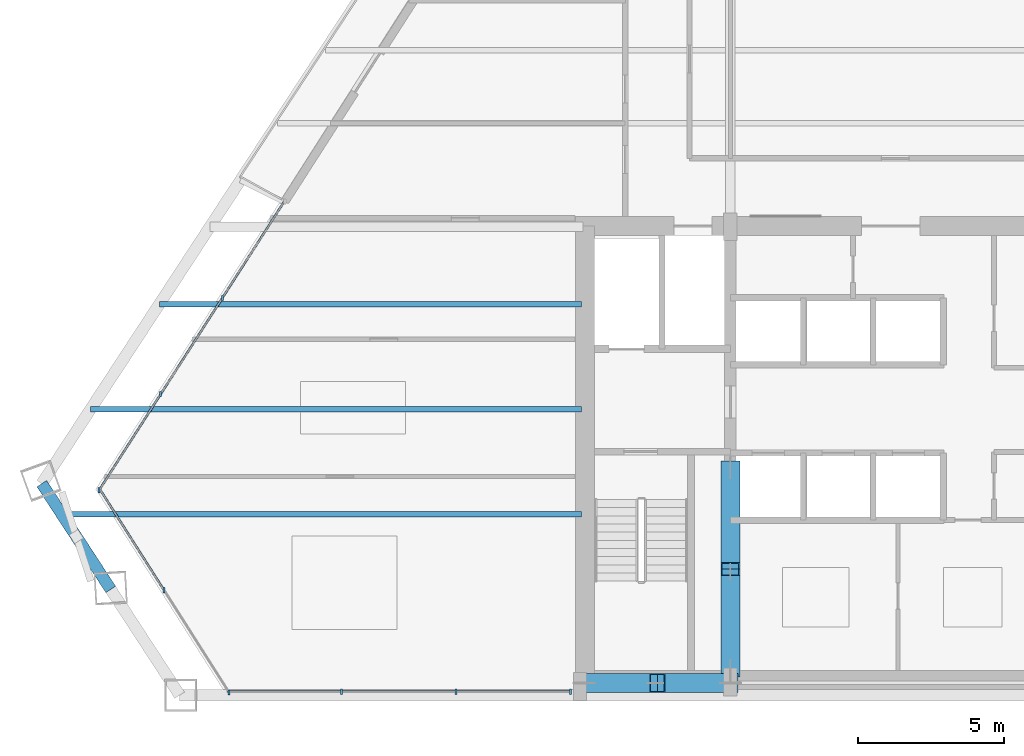
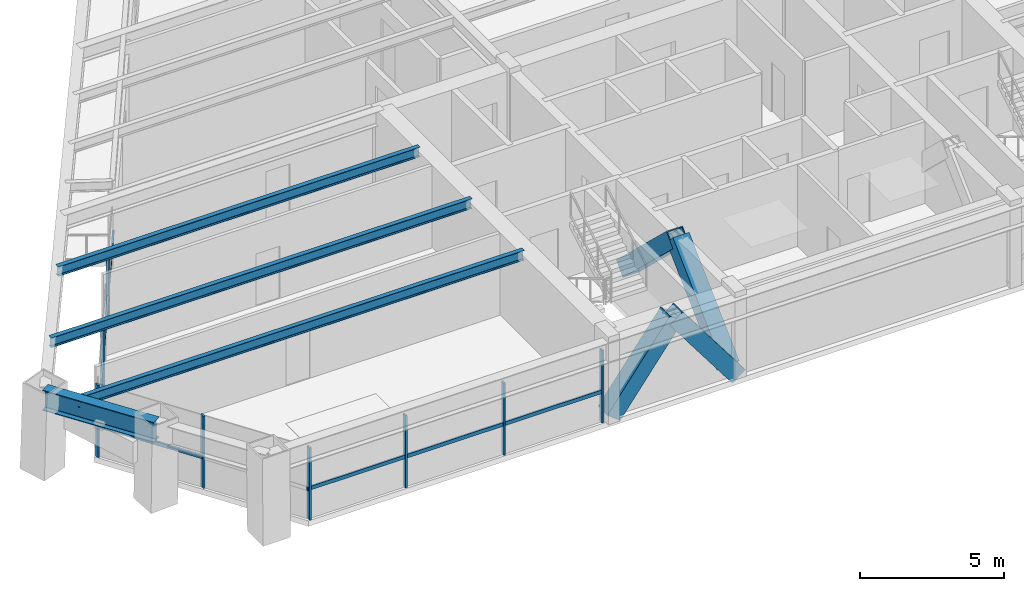
# One storey, part 2 of 15: 19 members, 4 beams, 3 elements without a shape of their own.
"""IFC4 building model written with IfcOpenShell, lengths in metres."""

from ifc_helpers import new_model, si_unit, direction, frame, origin, origin_2d, place, context, subcontext, project, spatial, rectangle, hollow_rectangle, i_section, extrude, source, transform, mapped, material, material_profile, profile_set, type_object, element, aggregate, save


model = new_model("IFC4")

# Units and contexts
model_context = context("Model", 3, precision=1e-05, world=origin(), true_north=direction((0.0, 1.0)))
body_context = subcontext(model_context, "Body", "Model", "MODEL_VIEW")
ifc_project = project(units=[si_unit("LENGTHUNIT", "METRE"), si_unit("AREAUNIT", "SQUARE_METRE"), si_unit("VOLUMEUNIT", "CUBIC_METRE"), si_unit("PLANEANGLEUNIT", "RADIAN"), si_unit("MASSUNIT", "GRAM", prefix="KILO")], contexts=[model_context])

# Site, building, storey
site_placement = place(None, origin())
site = spatial("IfcSite", under=ifc_project, at=site_placement, CompositionType="ELEMENT")
building_placement = place(site_placement, origin())
building = spatial("IfcBuilding", under=site, at=building_placement, Name="Varnakhor Terracotta Tower", CompositionType="ELEMENT")
storey_placement = place(building_placement, frame((0.0, 0.0, 155.199951171875)))
storey = spatial("IfcBuildingStorey", under=building, at=storey_placement, Name="L39", CompositionType="ELEMENT", Elevation=155.199951171875)

# Members
ifc_material_1 = material(Name="Steel S460", Category="steel")
ifc_material_profile_1 = material_profile(ifc_material_1, hollow_rectangle(XDim=0.64990234375, YDim=0.64990234375, WallThickness=0.0400390625, at=origin_2d()), Name="HSS650X650X40")
ifc_profile_set_1 = profile_set([ifc_material_profile_1], Name="Steel S460")
member_type_1 = type_object("IfcMemberType", Name="MBR-MEGA-650", PredefinedType="BRACE", material=ifc_profile_set_1)
shared_shape_1 = source(origin(), body_context, "Body", "SweptSolid", [
    extrude(hollow_rectangle(XDim=0.64990234375, YDim=0.64990234375, WallThickness=0.0400390625, at=origin_2d()), origin(), (0.0, 0.0, 1.0), 4.805908203125),
])
member_1_placement = place(storey_placement, frame((-5.5, 0.85009765625, 0.0), z_axis=(0.0, 0.723026776832, 0.69082000549), x_axis=(-1.0, 0.0, 0.0)))
element("IfcMember", 1, at=member_1_placement, inside=storey, type_object=member_type_1, Name="L39 Core Coupled Brace CWWA", PredefinedType="BRACE", context=body_context, shape_type="MappedRepresentation", body=[
    mapped(shared_shape_1, transform((0.0, 0.0, 0.0), scale=1.0)),
])
shared_shape_2 = source(origin(), body_context, "Body", "SweptSolid", [
    extrude(hollow_rectangle(XDim=0.64990234375, YDim=0.64990234375, WallThickness=0.0400390625, at=origin_2d()), origin(), (0.0, 0.0, 1.0), 4.156005859375),
])
for number, where, z_axis, x_axis, name in (
    (2, (-10.5, 0.419921875, 0.0), (0.601530923869, 0.0, 0.798849515009), (0.0, 1.0, 0.0), "L39 Core Coupled Brace CSWA"),
    (3, (-5.5, 0.419921875, 0.0), (-0.601530923869, 0.0, 0.798849515009), (0.0, -1.0, 0.0), "L39 Core Coupled Brace CSWB"),
):
    element("IfcMember", number, at=place(storey_placement, frame(where, z_axis=z_axis, x_axis=x_axis)), inside=storey, type_object=member_type_1, Name=name, PredefinedType="BRACE", context=body_context, shape_type="MappedRepresentation", body=[
        mapped(shared_shape_2, transform((0.0, 0.0, 0.0), scale=1.0)),
    ])
shared_shape_3 = source(origin(), body_context, "Body", "SweptSolid", [
    extrude(hollow_rectangle(XDim=0.64990234375, YDim=0.64990234375, WallThickness=0.0400390625, at=origin_2d()), origin(), (0.0, 0.0, 1.0), 4.80615234375),
])
member_2_placement = place(storey_placement, frame((-5.5, 7.800048828125, 0.0), z_axis=(0.0, -0.723051018573, 0.690794632681), x_axis=(1.0, 0.0, 0.0)))
element("IfcMember", 4, at=member_2_placement, inside=storey, type_object=member_type_1, Name="L39 Core Coupled Brace CWWB", PredefinedType="BRACE", context=body_context, shape_type="MappedRepresentation", body=[
    mapped(shared_shape_3, transform((0.0, 0.0, 0.0), scale=1.0)),
])

# Beams
ifc_material_2 = material(Name="Steel S355", Category="steel")
ifc_material_profile_2 = material_profile(ifc_material_2, i_section(OverallWidth=0.39990234375, OverallDepth=0.85498046875, WebThickness=0.01806640625, FlangeThickness=0.029052734375, FilletRadius=0.01806640625, at=origin_2d()), Name="W33X201")
ifc_profile_set_2 = profile_set([ifc_material_profile_2], Name="Steel S355")
beam_type_1 = type_object("IfcBeamType", Name="BM-W33X201", PredefinedType="BEAM", material=ifc_profile_set_2)
shared_shape_4 = source(origin(), body_context, "Body", "SweptSolid", [
    extrude(i_section(OverallWidth=0.39990234375, OverallDepth=0.85498046875, WebThickness=0.01806640625, FlangeThickness=0.029052734375, FilletRadius=0.01806640625, at=origin_2d()), origin(), (0.0, 0.0, 1.0), 4.326904296875),
])
beam_1_placement = place(storey_placement, frame((-29.094482421875, 7.250244140625, 3.04248046875), z_axis=(0.545945891461, -0.837820436369, 0.0), x_axis=(0.837820436369, 0.545945891461, 0.0)))
element("IfcBeam", 5, at=beam_1_placement, inside=storey, type_object=beam_type_1, Name="L39 Perimeter Spandrel 7", PredefinedType="BEAM", context=body_context, shape_type="MappedRepresentation", body=[
    mapped(shared_shape_4, transform((0.0, 0.0, 0.0), scale=1.0)),
])
ifc_material_profile_3 = material_profile(ifc_material_2, i_section(OverallWidth=0.179931640625, OverallDepth=0.4130859375, WebThickness=0.009765625, FlangeThickness=0.01611328125, FilletRadius=0.01806640625, at=origin_2d()), Name="W16X50")
ifc_profile_set_3 = profile_set([ifc_material_profile_3], Name="Steel S355")
beam_type_2 = type_object("IfcBeamType", Name="JST-W16X50", PredefinedType="JOIST", material=ifc_profile_set_3)
shared_shape_5 = source(origin(), body_context, "Body", "SweptSolid", [
    extrude(i_section(OverallWidth=0.179931640625, OverallDepth=0.4130859375, WebThickness=0.009765625, FlangeThickness=0.01611328125, FilletRadius=0.01806640625, at=origin_2d()), origin(), (0.0, 0.0, 1.0), 17.81005859375),
])
beam_2_placement = place(storey_placement, frame((-28.41015625, 6.199951171875, 3.263427734375), z_axis=(1.0, 0.0, 0.0), x_axis=(0.0, 1.0, 0.0)))
element("IfcBeam", 6, at=beam_2_placement, inside=storey, type_object=beam_type_2, Name="L39 Floor Joist W1", PredefinedType="JOIST", context=body_context, shape_type="MappedRepresentation", body=[
    mapped(shared_shape_5, transform((0.0, 0.0, 0.0), scale=1.0)),
])
shared_shape_6 = source(origin(), body_context, "Body", "SweptSolid", [
    extrude(i_section(OverallWidth=0.179931640625, OverallDepth=0.4130859375, WebThickness=0.009765625, FlangeThickness=0.01611328125, FilletRadius=0.01806640625, at=origin_2d()), origin(), (0.0, 0.0, 1.0), 16.8251953125),
])
beam_3_placement = place(storey_placement, frame((-27.42529296875, 9.800048828125, 3.263427734375), z_axis=(1.0, 0.0, 0.0), x_axis=(0.0, 1.0, 0.0)))
element("IfcBeam", 7, at=beam_3_placement, inside=storey, type_object=beam_type_2, Name="L39 Floor Joist W2", PredefinedType="JOIST", context=body_context, shape_type="MappedRepresentation", body=[
    mapped(shared_shape_6, transform((0.0, 0.0, 0.0), scale=1.0)),
])
shared_shape_7 = source(origin(), body_context, "Body", "SweptSolid", [
    extrude(i_section(OverallWidth=0.179931640625, OverallDepth=0.4130859375, WebThickness=0.009765625, FlangeThickness=0.01611328125, FilletRadius=0.01806640625, at=origin_2d()), origin(), (0.0, 0.0, 1.0), 14.46826171875),
])
beam_4_placement = place(storey_placement, frame((-25.068359375, 13.39990234375, 3.263427734375), z_axis=(1.0, 0.0, 0.0), x_axis=(0.0, 1.0, 0.0)))
element("IfcBeam", 8, at=beam_4_placement, inside=storey, type_object=beam_type_2, Name="L39 Floor Joist W3", PredefinedType="JOIST", context=body_context, shape_type="MappedRepresentation", body=[
    mapped(shared_shape_7, transform((0.0, 0.0, 0.0), scale=1.0)),
])

# Curtain wall, members
ifc_material_3 = material(Name="Anodised Aluminium Curtain Wall System", Category="aluminium")
curtain_wall_type = type_object("IfcCurtainWallType", Name="CW-SYS-MID-OFFICE", PredefinedType="NOTDEFINED", material=ifc_material_3)
curtain_wall_1_placement = place(storey_placement, origin())
curtain_wall_1 = element("IfcCurtainWall", 9, at=curtain_wall_1_placement, inside=storey, type_object=curtain_wall_type, Name="L39 W Facet Curtain Wall 1", PredefinedType="NOTDEFINED")
ifc_material_4 = material(Name="Anodised Aluminium 6063-T6", Category="aluminium")
ifc_material_profile_4 = material_profile(ifc_material_4, rectangle(XDim=0.070068359375, YDim=0.175048828125, at=origin_2d()), Name="ALU MULLION 70x175")
ifc_profile_set_4 = profile_set([ifc_material_profile_4], Name="Anodised Aluminium 6063-T6")
member_type_2 = type_object("IfcMemberType", Name="CWM-03", PredefinedType="MULLION", material=ifc_profile_set_4)
shared_shape_8 = source(origin(), body_context, "Body", "SweptSolid", [
    extrude(rectangle(XDim=0.070068359375, YDim=0.175048828125, at=origin_2d()), origin(), (0.0, 0.0, 1.0), 3.050048828125),
])
member_3_placement = place(storey_placement, frame((-27.13232421875, 7.023193359375, 0.0), z_axis=(0.0, 0.0, 1.0), x_axis=(1.0, 0.0, 0.0)))
member_3 = element("IfcMember", 10, at=member_3_placement, type_object=member_type_2, Name="L39 W Facet Curtain Wall 1 Mullion 1", PredefinedType="MULLION", context=body_context, shape_type="MappedRepresentation", body=[
    mapped(shared_shape_8, transform((0.0, 0.0, 0.0), scale=1.0)),
])
member_4_placement = place(storey_placement, frame((-25.0205078125, 10.31689453125, 0.0), z_axis=(0.0, 0.0, 1.0), x_axis=(1.0, 0.0, 0.0)))
member_4 = element("IfcMember", 11, at=member_4_placement, type_object=member_type_2, Name="L39 W Facet Curtain Wall 1 Mullion 2", PredefinedType="MULLION", context=body_context, shape_type="MappedRepresentation", body=[
    mapped(shared_shape_8, transform((0.0, 0.0, 0.0), scale=1.0)),
])
member_5_placement = place(storey_placement, frame((-22.908447265625, 13.610595703125, 0.0), z_axis=(0.0, 0.0, 1.0), x_axis=(1.0, 0.0, 0.0)))
member_5 = element("IfcMember", 12, at=member_5_placement, type_object=member_type_2, Name="L39 W Facet Curtain Wall 1 Mullion 3", PredefinedType="MULLION", context=body_context, shape_type="MappedRepresentation", body=[
    mapped(shared_shape_8, transform((0.0, 0.0, 0.0), scale=1.0)),
])

curtain_wall_2_placement = place(storey_placement, origin())
curtain_wall_2 = element("IfcCurtainWall", 13, at=curtain_wall_2_placement, inside=storey, type_object=curtain_wall_type, Name="L39 South Wing Curtain Wall SSW", PredefinedType="NOTDEFINED")
member_6_placement = place(storey_placement, frame((-10.969970703125, 0.1201171875, 0.0), z_axis=(0.0, 0.0, 1.0), x_axis=(1.0, 0.0, 0.0)))
member_6 = element("IfcMember", 14, at=member_6_placement, type_object=member_type_2, Name="L39 South Wing Curtain Wall SSW Mullion 1", PredefinedType="MULLION", context=body_context, shape_type="MappedRepresentation", body=[
    mapped(shared_shape_8, transform((0.0, 0.0, 0.0), scale=1.0)),
])
member_7_placement = place(storey_placement, frame((-14.89599609375, 0.1201171875, 0.0), z_axis=(0.0, 0.0, 1.0), x_axis=(1.0, 0.0, 0.0)))
member_7 = element("IfcMember", 15, at=member_7_placement, type_object=member_type_2, Name="L39 South Wing Curtain Wall SSW Mullion 2", PredefinedType="MULLION", context=body_context, shape_type="MappedRepresentation", body=[
    mapped(shared_shape_8, transform((0.0, 0.0, 0.0), scale=1.0)),
])
member_8_placement = place(storey_placement, frame((-18.822265625, 0.1201171875, 0.0), z_axis=(0.0, 0.0, 1.0), x_axis=(1.0, 0.0, 0.0)))
member_8 = element("IfcMember", 16, at=member_8_placement, type_object=member_type_2, Name="L39 South Wing Curtain Wall SSW Mullion 3", PredefinedType="MULLION", context=body_context, shape_type="MappedRepresentation", body=[
    mapped(shared_shape_8, transform((0.0, 0.0, 0.0), scale=1.0)),
])

curtain_wall_3_placement = place(storey_placement, origin())
curtain_wall_3 = element("IfcCurtainWall", 17, at=curtain_wall_3_placement, inside=storey, type_object=curtain_wall_type, Name="L39 Facet Curtain Wall 6", PredefinedType="NOTDEFINED")
member_9_placement = place(storey_placement, frame((-22.673095703125, 0.089599609375, 0.0), z_axis=(0.0, 0.0, 1.0), x_axis=(1.0, 0.0, 0.0)))
member_9 = element("IfcMember", 18, at=member_9_placement, type_object=member_type_2, Name="L39 Facet Curtain Wall 6 Mullion 1", PredefinedType="MULLION", context=body_context, shape_type="MappedRepresentation", body=[
    mapped(shared_shape_8, transform((0.0, 0.0, 0.0), scale=1.0)),
])
member_10_placement = place(storey_placement, frame((-24.902587890625, 3.595703125, 0.0), z_axis=(0.0, 0.0, 1.0), x_axis=(1.0, 0.0, 0.0)))
member_10 = element("IfcMember", 19, at=member_10_placement, type_object=member_type_2, Name="L39 Facet Curtain Wall 6 Mullion 2", PredefinedType="MULLION", context=body_context, shape_type="MappedRepresentation", body=[
    mapped(shared_shape_8, transform((0.0, 0.0, 0.0), scale=1.0)),
])

# Member
ifc_material_profile_5 = material_profile(ifc_material_4, rectangle(XDim=0.070068359375, YDim=0.155029296875, at=origin_2d()), Name="ALU TRANSOM 70x155")
ifc_profile_set_5 = profile_set([ifc_material_profile_5], Name="Anodised Aluminium 6063-T6")
member_type_3 = type_object("IfcMemberType", Name="CWT-03", PredefinedType="USERDEFINED", material=ifc_profile_set_5)
shared_shape_9 = source(origin(), body_context, "Body", "SweptSolid", [
    extrude(rectangle(XDim=0.070068359375, YDim=0.155029296875, at=origin_2d()), origin(), (0.0, 0.0, 1.0), 3.91259765625),
])
member_11_placement = place(storey_placement, frame((-27.13232421875, 7.023193359375, 1.281005859375), z_axis=(0.539751161832, 0.841824615523, 0.0), x_axis=(-0.841824615523, 0.539751161832, 0.0)))
member_11 = element("IfcMember", 20, at=member_11_placement, type_object=member_type_3, Name="L39 W Facet Curtain Wall 1 Transom 1", ObjectType="TRANSOM", PredefinedType="USERDEFINED", context=body_context, shape_type="MappedRepresentation", body=[
    mapped(shared_shape_9, transform((0.0, 0.0, 0.0), scale=1.0)),
])

member_12_placement = place(storey_placement, frame((-25.0205078125, 10.31689453125, 1.281005859375), z_axis=(0.5397953798, 0.84179626273, 0.0), x_axis=(-0.84179626273, 0.5397953798, 0.0)))
member_12 = element("IfcMember", 21, at=member_12_placement, type_object=member_type_3, Name="L39 W Facet Curtain Wall 1 Transom 2", ObjectType="TRANSOM", PredefinedType="USERDEFINED", context=body_context, shape_type="MappedRepresentation", body=[
    mapped(shared_shape_9, transform((0.0, 0.0, 0.0), scale=1.0)),
])

shared_shape_10 = source(origin(), body_context, "Body", "SweptSolid", [
    extrude(rectangle(XDim=0.070068359375, YDim=0.155029296875, at=origin_2d()), origin(), (0.0, 0.0, 1.0), 3.912841796875),
])
member_13_placement = place(storey_placement, frame((-22.908447265625, 13.610595703125, 1.281005859375), z_axis=(0.539767027984, 0.841814442441, 0.0), x_axis=(-0.841814442441, 0.539767027984, 0.0)))
member_13 = element("IfcMember", 22, at=member_13_placement, type_object=member_type_3, Name="L39 W Facet Curtain Wall 1 Transom 3", ObjectType="TRANSOM", PredefinedType="USERDEFINED", context=body_context, shape_type="MappedRepresentation", body=[
    mapped(shared_shape_10, transform((0.0, 0.0, 0.0), scale=1.0)),
])

aggregate(curtain_wall_1, [member_3, member_11, member_4, member_12, member_5, member_13])

shared_shape_11 = source(origin(), body_context, "Body", "SweptSolid", [
    extrude(rectangle(XDim=0.070068359375, YDim=0.155029296875, at=origin_2d()), origin(), (0.0, 0.0, 1.0), 3.926025390625),
])
member_14_placement = place(storey_placement, frame((-10.969970703125, 0.1201171875, 1.281005859375), z_axis=(-1.0, 0.0, 0.0), x_axis=(0.0, -1.0, 0.0)))
member_14 = element("IfcMember", 23, at=member_14_placement, type_object=member_type_3, Name="L39 South Wing Curtain Wall SSW Transom 1", ObjectType="TRANSOM", PredefinedType="USERDEFINED", context=body_context, shape_type="MappedRepresentation", body=[
    mapped(shared_shape_11, transform((0.0, 0.0, 0.0), scale=1.0)),
])

member_15_placement = place(storey_placement, frame((-18.822265625, 0.1201171875, 1.281005859375), z_axis=(-1.0, 0.0, 0.0), x_axis=(0.0, -1.0, 0.0)))
member_15 = element("IfcMember", 24, at=member_15_placement, type_object=member_type_3, Name="L39 South Wing Curtain Wall SSW Transom 3", ObjectType="TRANSOM", PredefinedType="USERDEFINED", context=body_context, shape_type="MappedRepresentation", body=[
    mapped(shared_shape_11, transform((0.0, 0.0, 0.0), scale=1.0)),
])

shared_shape_12 = source(origin(), body_context, "Body", "SweptSolid", [
    extrude(rectangle(XDim=0.070068359375, YDim=0.155029296875, at=origin_2d()), origin(), (0.0, 0.0, 1.0), 3.92626953125),
])
member_16_placement = place(storey_placement, frame((-14.89599609375, 0.1201171875, 1.281005859375), z_axis=(-1.0, 0.0, 0.0), x_axis=(0.0, -1.0, 0.0)))
member_16 = element("IfcMember", 25, at=member_16_placement, type_object=member_type_3, Name="L39 South Wing Curtain Wall SSW Transom 2", ObjectType="TRANSOM", PredefinedType="USERDEFINED", context=body_context, shape_type="MappedRepresentation", body=[
    mapped(shared_shape_12, transform((0.0, 0.0, 0.0), scale=1.0)),
])

aggregate(curtain_wall_2, [member_6, member_14, member_7, member_16, member_8, member_15])

shared_shape_13 = source(origin(), body_context, "Body", "SweptSolid", [
    extrude(rectangle(XDim=0.070068359375, YDim=0.155029296875, at=origin_2d()), origin(), (0.0, 0.0, 1.0), 4.155029296875),
])
member_17_placement = place(storey_placement, frame((-24.902587890625, 3.595703125, 1.281005859375), z_axis=(-0.536590305899, 0.843842902213, 0.0), x_axis=(-0.843842902213, -0.536590305899, 0.0)))
member_17 = element("IfcMember", 26, at=member_17_placement, type_object=member_type_3, Name="L39 Facet Curtain Wall 6 Transom 2", ObjectType="TRANSOM", PredefinedType="USERDEFINED", context=body_context, shape_type="MappedRepresentation", body=[
    mapped(shared_shape_13, transform((0.0, 0.0, 0.0), scale=1.0)),
])

aggregate(curtain_wall_3, [member_9, member_10, member_17])

save(model, "model.ifc")
